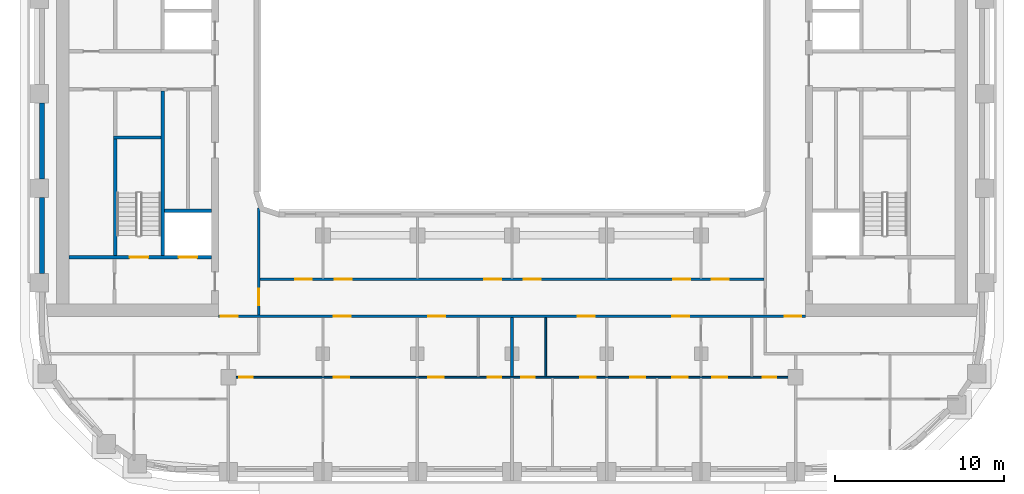
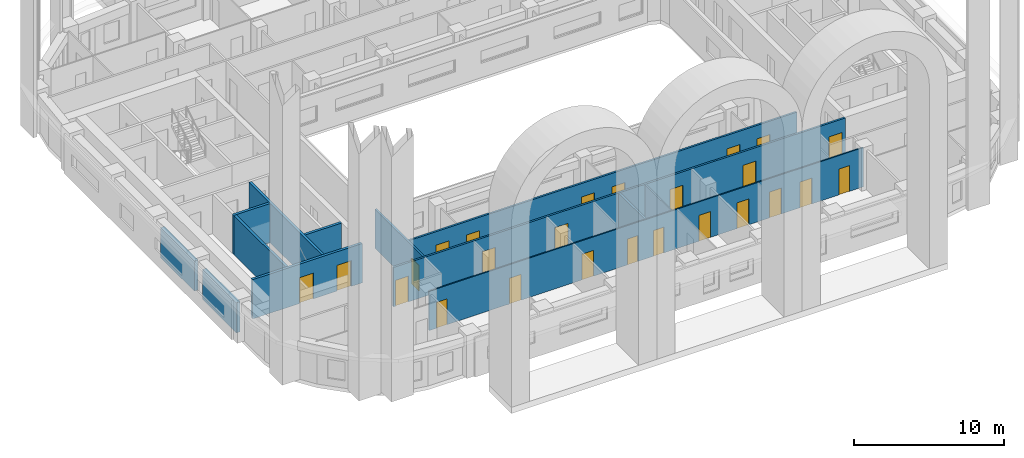
# One storey, part 3 of 18: 25 doors, 13 walls, 25 openings.
"""IFC4 building model written with IfcOpenShell, lengths in metres."""

import ifcopenshell
import ifcopenshell.guid

model = None  # the IFC model being written
_history = None  # IfcOwnerHistory: only IFC2X3 demands one
_inside = {}  # id of a spatial element -> (the spatial element, [elements in it])
_under = {}  # id of a project, library or spatial element -> (it, [spatial elements below it])
_declared = {}  # id of a project -> (the project, [libraries it declares])
_typed = {}  # id of a type object -> (the type object, [elements of that type])
_made_of = {}  # id of a material, layer set ... -> (it, [elements and type objects made of it])


def new_model(schema):
    """Start an empty IFC model of exactly this schema.

    Asked for "IFC4X3", IfcOpenShell would pick the latest addendum, in which some entities
    have other attributes; the version numbers below select the first issue.
    IFC2X3 requires an IfcOwnerHistory on every rooted entity: one is made here for all.
    """
    global model, _history
    if schema == "IFC4X3":
        model = ifcopenshell.file(schema_version=(4, 3, 0, 0))
    else:
        model = ifcopenshell.file(schema=schema)
    _inside.clear()
    _under.clear()
    _declared.clear()
    _typed.clear()
    _made_of.clear()
    _history = None
    if model.schema == "IFC2X3":
        org = make("IfcOrganization", Name="unknown")
        user = make(
            "IfcPersonAndOrganization",
            ThePerson=make("IfcPerson", FamilyName="unknown"),
            TheOrganization=org,
        )
        app = make(
            "IfcApplication",
            ApplicationDeveloper=org,
            Version="unknown",
            ApplicationFullName="unknown",
            ApplicationIdentifier="unknown",
        )
        _history = make(
            "IfcOwnerHistory",
            OwningUser=user,
            OwningApplication=app,
            ChangeAction="ADDED",
            CreationDate=0,
        )
    return model


def make(cls, **values):
    """One entity of the class cls with the attributes given. An attribute that is None is left unset."""
    return model.create_entity(
        cls, **{name: value for name, value in values.items() if value is not None}
    )


def rooted(cls, **values):
    """An entity with a GlobalId (a new one), such as an element, a storey or a relation."""
    return make(cls, GlobalId=ifcopenshell.guid.new(), OwnerHistory=_history, **values)


def si_unit(unit_type, name, prefix=None):
    """IfcSIUnit, for example si_unit("LENGTHUNIT", "METRE", prefix="MILLI")."""
    return make("IfcSIUnit", UnitType=unit_type, Prefix=prefix, Name=name)


def assignment(units):
    """IfcUnitAssignment: the units of a project."""
    return None if units is None else make("IfcUnitAssignment", Units=units)


def point(xyz):
    """IfcCartesianPoint."""
    return None if xyz is None else make("IfcCartesianPoint", Coordinates=xyz)


def direction(xyz):
    """IfcDirection."""
    return None if xyz is None else make("IfcDirection", DirectionRatios=xyz)


def frame(location, z_axis=None, x_axis=None):
    """IfcAxis2Placement3D, a coordinate frame: its origin and axes. An axis left out is left unset."""
    return make(
        "IfcAxis2Placement3D",
        Location=point(location),
        Axis=direction(z_axis),
        RefDirection=direction(x_axis),
    )


def frame_2d(location, x_axis=None):
    """IfcAxis2Placement2D, a coordinate frame in the plane: its origin and x axis."""
    return make(
        "IfcAxis2Placement2D", Location=point(location), RefDirection=direction(x_axis)
    )


def origin():
    """The frame at (0, 0, 0) with its axes left unset."""
    return frame((0.0, 0.0, 0.0))


def place(relative_to, where):
    """IfcLocalPlacement: puts the frame where relative to a parent placement (None: the world)."""
    return make(
        "IfcLocalPlacement", PlacementRelTo=relative_to, RelativePlacement=where
    )


def context(
    kind, dimensions, precision=None, world=None, true_north=None, identifier=None
):
    """IfcGeometricRepresentationContext, for example the 3D "Model" context."""
    return make(
        "IfcGeometricRepresentationContext",
        ContextIdentifier=identifier,
        ContextType=kind,
        CoordinateSpaceDimension=dimensions,
        Precision=precision,
        WorldCoordinateSystem=world,
        TrueNorth=true_north,
    )


def subcontext(parent, identifier, kind, view, scale=None):
    """IfcGeometricRepresentationSubContext, for example "Body" below "Model"."""
    return make(
        "IfcGeometricRepresentationSubContext",
        ContextIdentifier=identifier,
        ContextType=kind,
        ParentContext=parent,
        TargetScale=scale,
        TargetView=view,
    )


def project(units=None, contexts=None):
    """IfcProject with its units and contexts."""
    return rooted(
        "IfcProject",
        Name="project",
        RepresentationContexts=contexts,
        UnitsInContext=assignment(units),
    )


def spatial(cls, under=None, at=None, **own):
    """A site, building, storey or space (cls), placed at a placement, below another one or the project."""
    s = rooted(cls, ObjectPlacement=at, **own)
    if under is not None:
        _under.setdefault(under.id(), (under, []))[1].append(s)
    return s


def profile(cls, at=None, kind="AREA", **sizes):
    """A parametric profile (cls). Its sizes go by their IFC names, for example OverallWidth=200.0."""
    return make(cls, ProfileType=kind, Position=at, **sizes)


def rectangle(**sizes):
    """IfcRectangleProfileDef."""
    return profile("IfcRectangleProfileDef", **sizes)


def extrude(swept, where, along, depth):
    """IfcExtrudedAreaSolid: the profile swept, set in the frame where, extruded along a direction by depth."""
    return make(
        "IfcExtrudedAreaSolid",
        SweptArea=swept,
        Position=where,
        ExtrudedDirection=direction(along),
        Depth=depth,
    )


def shape(context_of_items, identifier, shape_type, items):
    """IfcShapeRepresentation: the items that make up one representation, for example the "Body"."""
    return make(
        "IfcShapeRepresentation",
        ContextOfItems=context_of_items,
        RepresentationIdentifier=identifier,
        RepresentationType=shape_type,
        Items=items,
    )


def material(Name=None, Category=None):
    """IfcMaterial."""
    return make("IfcMaterial", Name=Name, Category=Category)


def layer(
    of_material, thickness, ventilated=None, Name=None, Category=None, Priority=None
):
    """IfcMaterialLayer: one layer of a wall or slab, of a material (None: an air gap)."""
    return make(
        "IfcMaterialLayer",
        Material=of_material,
        LayerThickness=thickness,
        IsVentilated=ventilated,
        Name=Name,
        Category=Category,
        Priority=Priority,
    )


def layer_set(layers, Name=None):
    """IfcMaterialLayerSet."""
    return make("IfcMaterialLayerSet", MaterialLayers=layers, LayerSetName=Name)


def made_of(thing, what):
    """Note that an element or type object is made of a material, layer set ...; save() writes the relation."""
    if what is not None:
        _made_of.setdefault(what.id(), (what, []))[1].append(thing)
    return thing


def type_object(cls, material=None, **own):
    """A type object (cls), such as IfcWallType, which elements share."""
    return made_of(rooted(cls, **own), material)


def element(
    cls,
    number,
    at=None,
    inside=None,
    cuts=None,
    type_object=None,
    material=None,
    context=None,
    identifier="Body",
    shape_type=None,
    held_by="IfcProductDefinitionShape",
    body=None,
    shapes=None,
    **own,
):
    """One element of the class cls, such as IfcWall. Its Tag is "e" and its number.

    at: its placement. inside: the storey or other place that contains it. cuts: it is an
    opening in that element (IfcRelVoidsElement). A single representation is given by context,
    identifier, shape_type and body (its items); several are given by shapes. held_by: the class
    of the entity that holds the representations. save() writes the other relations.
    """
    e = rooted(cls, Tag="e%d" % number, ObjectPlacement=at, **own)
    if body is not None:
        shapes = [shape(context, identifier, shape_type, body)]
    if shapes is not None:
        e.Representation = make(held_by, Representations=shapes)
    if inside is not None:
        _inside.setdefault(inside.id(), (inside, []))[1].append(e)
    if cuts is not None:
        rooted(
            "IfcRelVoidsElement", RelatingBuildingElement=cuts, RelatedOpeningElement=e
        )
    if type_object is not None:
        _typed.setdefault(type_object.id(), (type_object, []))[1].append(e)
    return made_of(e, material)


def fill(opening, filler):
    """IfcRelFillsElement: the door or window that sits in an opening."""
    return rooted(
        "IfcRelFillsElement",
        RelatingOpeningElement=opening,
        RelatedBuildingElement=filler,
    )


def aggregate(whole, parts):
    """IfcRelAggregates: a whole, such as a stair, and the parts it consists of."""
    return rooted("IfcRelAggregates", RelatingObject=whole, RelatedObjects=parts)


def save(model, path):
    """Write the relations noted so far, then the file.

    IfcRelAggregates (storeys below a building ...), IfcRelContainedInSpatialStructure (elements
    in a storey), IfcRelDefinesByType, IfcRelAssociatesMaterial and IfcRelDeclares: one each for
    every whole, place, type object, material and project.
    """
    for whole, parts in _under.values():
        aggregate(whole, parts)
    for where, things in _inside.values():
        rooted(
            "IfcRelContainedInSpatialStructure",
            RelatedElements=things,
            RelatingStructure=where,
        )
    for kind, things in _typed.values():
        rooted("IfcRelDefinesByType", RelatedObjects=things, RelatingType=kind)
    for what, things in _made_of.values():
        rooted("IfcRelAssociatesMaterial", RelatedObjects=things, RelatingMaterial=what)
    for by, libraries in _declared.values():
        rooted("IfcRelDeclares", RelatingContext=by, RelatedDefinitions=libraries)
    model.write(path)


model = new_model("IFC4")

# Units and contexts
model_context = context("Model", 3, precision=1e-05, world=origin(), true_north=direction((0.0, 1.0)))
body_context = subcontext(model_context, "Body", "Model", "MODEL_VIEW")
ifc_project = project(units=[si_unit("LENGTHUNIT", "METRE"), si_unit("AREAUNIT", "SQUARE_METRE"), si_unit("VOLUMEUNIT", "CUBIC_METRE"), si_unit("PLANEANGLEUNIT", "RADIAN"), si_unit("MASSUNIT", "GRAM", prefix="KILO")], contexts=[model_context])

# Site, building, storey
site_placement = place(None, origin())
site = spatial("IfcSite", under=ifc_project, at=site_placement, CompositionType="ELEMENT")
building_placement = place(site_placement, origin())
building = spatial("IfcBuilding", under=site, at=building_placement, Name="Kiln Ring Residences", CompositionType="ELEMENT")
storey_placement = place(building_placement, frame((0.0, 0.0, 136.10009765625)))
storey = spatial("IfcBuildingStorey", under=building, at=storey_placement, Name="L34", CompositionType="ELEMENT", Elevation=136.10009765625)

# Walls
ifc_material_1 = material(Name="Gypsum shaft wall system")
ifc_layer_1 = layer(ifc_material_1, 0.199951171875)
ifc_layer_set_1 = layer_set([ifc_layer_1], Name="CORE-SHAFT-WALL-200")
wall_type_1 = type_object("IfcWallType", Name="CORE-SHAFT-WALL-200", PredefinedType="PARTITIONING", material=ifc_layer_set_1)
wall_1_placement = place(storey_placement, frame((-17.800048828125, -6.949951171875, 0.0), z_axis=(0.0, 0.0, 1.0), x_axis=(-1.0, 0.0, 0.0)))
element("IfcWall", 1, at=wall_1_placement, inside=storey, type_object=wall_type_1, Name="Core partition west L34 7", PredefinedType="PARTITIONING", context=body_context, shape_type="SweptSolid", body=[
    extrude(rectangle(XDim=2.800048828125, YDim=0.199951171875, at=frame_2d((1.39990234375, 0.0))), origin(), (0.0, 0.0, 1.0), 3.199951171875),
])
ifc_material_2 = material(Name="Concrete C40/50", Category="concrete")
ifc_layer_2 = layer(ifc_material_2, 0.199951171875)
ifc_layer_set_2 = layer_set([ifc_layer_2], Name="CORE-WALL-RC200")
wall_type_2 = type_object("IfcWallType", Name="CORE-WALL-RC200", PredefinedType="SHEAR", material=ifc_layer_set_2)
wall_2_placement = place(storey_placement, frame((-20.699951171875, -9.60009765625, 0.0), z_axis=(0.0, 0.0, 1.0), x_axis=(0.0, 1.0, 0.0)))
element("IfcWall", 2, at=wall_2_placement, inside=storey, type_object=wall_type_2, Name="Core wall west L34 2", PredefinedType="SHEAR", context=body_context, shape_type="SweptSolid", body=[
    extrude(rectangle(XDim=9.75, YDim=0.199951171875, at=frame_2d((4.875, 0.0))), origin(), (0.0, 0.0, 1.0), 3.199951171875),
])

# Wall, openings, doors
wall_3_placement = place(storey_placement, frame((-17.800048828125, -9.699951171875, 0.0), z_axis=(0.0, 0.0, 1.0), x_axis=(-1.0, 0.0, 0.0)))
wall_3 = element("IfcWall", 3, at=wall_3_placement, inside=storey, type_object=wall_type_2, Name="Core wall west L34 8", PredefinedType="SHEAR", context=body_context, shape_type="SweptSolid", body=[
    extrude(rectangle(XDim=8.449951171875, YDim=0.199951171875, at=frame_2d((4.22509765625, 0.0))), origin(), (0.0, 0.0, 1.0), 3.199951171875),
])
opening_1_placement = place(wall_3_placement, frame((0.85009765625, 0.0, 0.0)))
opening_1 = element("IfcOpeningElement", 4, at=opening_1_placement, cuts=wall_3, Name="Opening L34-CW01", PredefinedType="OPENING", context=body_context, shape_type="SweptSolid", body=[
    extrude(rectangle(XDim=1.10009765625, YDim=2.10009765625, at=frame_2d((0.550048828125, 1.050048828125))), frame((0.0, 0.10986328125, 0.0), z_axis=(0.0, -1.0, 0.0), x_axis=(1.0, 0.0, 0.0)), (0.0, 0.0, 1.0), 0.219970703125),
])
opening_2_placement = place(wall_3_placement, frame((3.75, 0.0, 0.0)))
opening_2 = element("IfcOpeningElement", 5, at=opening_2_placement, cuts=wall_3, Name="Opening L34-CW12", PredefinedType="OPENING", context=body_context, shape_type="SweptSolid", body=[
    extrude(rectangle(XDim=1.10009765625, YDim=2.10009765625, at=frame_2d((0.550048828125, 1.050048828125))), frame((0.0, 0.10986328125, 0.0), z_axis=(0.0, -1.0, 0.0), x_axis=(1.0, 0.0, 0.0)), (0.0, 0.0, 1.0), 0.219970703125),
])
ifc_material_3 = material(Name="Steel door leaf", Category="steel")
door_type_1 = type_object("IfcDoorType", Name="CORE-DOOR-LD", OperationType="DOUBLE_DOOR_SLIDING", PredefinedType="DOOR", material=ifc_material_3)
door_1_placement = place(opening_1_placement, origin())
door_1 = element("IfcDoor", 6, at=door_1_placement, inside=storey, type_object=door_type_1, Name="LD W-SV L34-CW01", OperationType="DOUBLE_DOOR_SLIDING", OverallHeight=2.10009765625, OverallWidth=1.10009765625, PredefinedType="DOOR", context=body_context, shape_type="SweptSolid", body=[
    extrude(rectangle(XDim=1.10009765625, YDim=2.10009765625, at=frame_2d((0.550048828125, 1.050048828125))), frame((0.0, 0.02490234375, 0.0), z_axis=(0.0, -1.0, 0.0), x_axis=(1.0, 0.0, 0.0)), (0.0, 0.0, 1.0), 0.050048828125),
])
fill(opening_1, door_1)
ifc_material_4 = material(Name="Steel door leaf", Category="steel")
door_type_2 = type_object("IfcDoorType", Name="CORE-DOOR-STAIR", OperationType="SINGLE_SWING_LEFT", PredefinedType="DOOR", material=ifc_material_4)
door_2_placement = place(opening_2_placement, origin())
door_2 = element("IfcDoor", 7, at=door_2_placement, inside=storey, type_object=door_type_2, Name="Stair W-STS L34-CW12", OperationType="SINGLE_SWING_LEFT", OverallHeight=2.10009765625, OverallWidth=1.10009765625, PredefinedType="DOOR", context=body_context, shape_type="SweptSolid", body=[
    extrude(rectangle(XDim=1.10009765625, YDim=2.10009765625, at=frame_2d((0.550048828125, 1.050048828125))), frame((0.0, 0.02490234375, 0.0), z_axis=(0.0, -1.0, 0.0), x_axis=(1.0, 0.0, 0.0)), (0.0, 0.0, 1.0), 0.050048828125),
])
fill(opening_2, door_2)

# Walls
wall_4_placement = place(storey_placement, frame((-23.5, -9.60009765625, 0.0), z_axis=(0.0, 0.0, 1.0), x_axis=(0.0, 1.0, 0.0)))
element("IfcWall", 8, at=wall_4_placement, inside=storey, type_object=wall_type_2, Name="Core wall west L34 11", PredefinedType="SHEAR", context=body_context, shape_type="SweptSolid", body=[
    extrude(rectangle(XDim=6.900146484375, YDim=0.199951171875, at=frame_2d((3.4501953125, 0.0))), origin(), (0.0, 0.0, 1.0), 3.199951171875),
])
wall_5_placement = place(storey_placement, frame((-20.800048828125, -2.60009765625, 0.0), z_axis=(0.0, 0.0, 1.0), x_axis=(-1.0, 0.0, 0.0)))
element("IfcWall", 9, at=wall_5_placement, inside=storey, type_object=wall_type_2, Name="Core wall west L34 12", PredefinedType="SHEAR", context=body_context, shape_type="SweptSolid", body=[
    extrude(rectangle(XDim=2.800048828125, YDim=0.199951171875, at=frame_2d((1.39990234375, 0.0))), origin(), (0.0, 0.0, 1.0), 3.199951171875),
])
ifc_material_5 = material(Name="Brick masonry, dark clay brick", Category="masonry")
ifc_layer_3 = layer(ifc_material_5, 0.300048828125)
ifc_layer_set_3 = layer_set([ifc_layer_3], Name="EW-300 BRICK WALL")
wall_type_3 = type_object("IfcWallType", Name="EW-300 BRICK WALL", PredefinedType="SOLIDWALL", material=ifc_layer_set_3)
for number, where, z_axis, x_axis, name in (
    (10, (-27.85009765625, -0.550048828125, 0.0), (0.0, 0.0, 1.0), (0.0, -1.0, 0.0), "Facade wall L34 44"),
    (11, (-27.85009765625, -6.14990234375, 0.0), (0.0, 0.0, 1.0), (0.0, -1.0, 0.0), "Facade wall L34 45"),
):
    element("IfcWall", number, at=place(storey_placement, frame(where, z_axis=z_axis, x_axis=x_axis)), inside=storey, type_object=wall_type_3, Name=name, PredefinedType="SOLIDWALL", context=body_context, shape_type="SweptSolid", body=[
        extrude(rectangle(XDim=4.5, YDim=0.300048828125, at=frame_2d((2.25, 0.0))), origin(), (0.0, 0.0, 1.0), 2.449951171875),
    ])

# Wall, openings, doors
ifc_material_6 = material(Name="Gypsum board on steel studs", Category="steel")
ifc_layer_4 = layer(ifc_material_6, 0.10009765625)
ifc_layer_set_4 = layer_set([ifc_layer_4], Name="PARTITION-100")
wall_type_4 = type_object("IfcWallType", Name="PARTITION-100", PredefinedType="PARTITIONING", material=ifc_layer_set_4)
wall_6_placement = place(storey_placement, frame((-16.72509765625, -16.800048828125, 0.0), z_axis=(0.0, 0.0, 1.0), x_axis=(1.0, 0.0, 0.0)))
wall_6 = element("IfcWall", 12, at=wall_6_placement, inside=storey, type_object=wall_type_4, Name="Partition 002", PredefinedType="PARTITIONING", context=body_context, shape_type="SweptSolid", body=[
    extrude(rectangle(XDim=33.4501953125, YDim=0.10009765625, at=frame_2d((16.72509765625, 0.0))), origin(), (0.0, 0.0, 1.0), 3.199951171875),
])
opening_3_placement = place(wall_6_placement, frame((0.574951171875, 0.0, 0.0)))
opening_3 = element("IfcOpeningElement", 13, at=opening_3_placement, cuts=wall_6, Name="Opening L34-D050", PredefinedType="OPENING", context=body_context, shape_type="SweptSolid", body=[
    extrude(rectangle(XDim=0.800048828125, YDim=2.10009765625, at=frame_2d((0.39990234375, 1.050048828125))), frame((0.0, 0.06005859375, 0.0), z_axis=(0.0, -1.0, 0.0), x_axis=(1.0, 0.0, 0.0)), (0.0, 0.0, 1.0), 0.1201171875),
])
opening_4_placement = place(wall_6_placement, frame((6.175048828125, 0.0, 0.0)))
opening_4 = element("IfcOpeningElement", 14, at=opening_4_placement, cuts=wall_6, Name="Opening L34-D051", PredefinedType="OPENING", context=body_context, shape_type="SweptSolid", body=[
    extrude(rectangle(XDim=0.89990234375, YDim=2.10009765625, at=frame_2d((0.449951171875, 1.050048828125))), frame((0.0, 0.06005859375, 0.0), z_axis=(0.0, -1.0, 0.0), x_axis=(1.0, 0.0, 0.0)), (0.0, 0.0, 1.0), 0.1201171875),
])
opening_5_placement = place(wall_6_placement, frame((15.27490234375, 0.0, 0.0)))
opening_5 = element("IfcOpeningElement", 15, at=opening_5_placement, cuts=wall_6, Name="Opening L34-D054", PredefinedType="OPENING", context=body_context, shape_type="SweptSolid", body=[
    extrude(rectangle(XDim=0.800048828125, YDim=2.10009765625, at=frame_2d((0.39990234375, 1.050048828125))), frame((0.0, 0.06005859375, 0.0), z_axis=(0.0, -1.0, 0.0), x_axis=(1.0, 0.0, 0.0)), (0.0, 0.0, 1.0), 0.1201171875),
])
opening_6_placement = place(wall_6_placement, frame((11.77490234375, 0.0, 0.0)))
opening_6 = element("IfcOpeningElement", 16, at=opening_6_placement, cuts=wall_6, Name="Opening L34-D055", PredefinedType="OPENING", context=body_context, shape_type="SweptSolid", body=[
    extrude(rectangle(XDim=0.89990234375, YDim=2.10009765625, at=frame_2d((0.449951171875, 1.050048828125))), frame((0.0, 0.06005859375, 0.0), z_axis=(0.0, -1.0, 0.0), x_axis=(1.0, 0.0, 0.0)), (0.0, 0.0, 1.0), 0.1201171875),
])
opening_7_placement = place(wall_6_placement, frame((17.27490234375, 0.0, 0.0)))
opening_7 = element("IfcOpeningElement", 17, at=opening_7_placement, cuts=wall_6, Name="Opening L34-D057", PredefinedType="OPENING", context=body_context, shape_type="SweptSolid", body=[
    extrude(rectangle(XDim=0.800048828125, YDim=2.10009765625, at=frame_2d((0.39990234375, 1.050048828125))), frame((0.0, 0.06005859375, 0.0), z_axis=(0.0, -1.0, 0.0), x_axis=(1.0, 0.0, 0.0)), (0.0, 0.0, 1.0), 0.1201171875),
])
opening_8_placement = place(wall_6_placement, frame((20.77490234375, 0.0, 0.0)))
opening_8 = element("IfcOpeningElement", 18, at=opening_8_placement, cuts=wall_6, Name="Opening L34-D058", PredefinedType="OPENING", context=body_context, shape_type="SweptSolid", body=[
    extrude(rectangle(XDim=0.89990234375, YDim=2.10009765625, at=frame_2d((0.449951171875, 1.050048828125))), frame((0.0, 0.06005859375, 0.0), z_axis=(0.0, -1.0, 0.0), x_axis=(1.0, 0.0, 0.0)), (0.0, 0.0, 1.0), 0.1201171875),
])
opening_9_placement = place(wall_6_placement, frame((31.574951171875, 0.0, 0.0)))
opening_9 = element("IfcOpeningElement", 19, at=opening_9_placement, cuts=wall_6, Name="Opening L34-D062", PredefinedType="OPENING", context=body_context, shape_type="SweptSolid", body=[
    extrude(rectangle(XDim=0.800048828125, YDim=2.10009765625, at=frame_2d((0.39990234375, 1.050048828125))), frame((0.0, 0.06005859375, 0.0), z_axis=(0.0, -1.0, 0.0), x_axis=(1.0, 0.0, 0.0)), (0.0, 0.0, 1.0), 0.1201171875),
])
opening_10_placement = place(wall_6_placement, frame((28.574951171875, 0.0, 0.0)))
opening_10 = element("IfcOpeningElement", 20, at=opening_10_placement, cuts=wall_6, Name="Opening L34-D063", PredefinedType="OPENING", context=body_context, shape_type="SweptSolid", body=[
    extrude(rectangle(XDim=0.89990234375, YDim=2.10009765625, at=frame_2d((0.449951171875, 1.050048828125))), frame((0.0, 0.06005859375, 0.0), z_axis=(0.0, -1.0, 0.0), x_axis=(1.0, 0.0, 0.0)), (0.0, 0.0, 1.0), 0.1201171875),
])
opening_11_placement = place(wall_6_placement, frame((23.72509765625, 0.0, 0.0)))
opening_11 = element("IfcOpeningElement", 21, at=opening_11_placement, cuts=wall_6, Name="Opening L34-D064", PredefinedType="OPENING", context=body_context, shape_type="SweptSolid", body=[
    extrude(rectangle(XDim=0.89990234375, YDim=2.10009765625, at=frame_2d((0.449951171875, 1.050048828125))), frame((0.0, 0.06005859375, 0.0), z_axis=(0.0, -1.0, 0.0), x_axis=(1.0, 0.0, 0.0)), (0.0, 0.0, 1.0), 0.1201171875),
])
opening_12_placement = place(wall_6_placement, frame((26.22509765625, 0.0, 0.0)))
opening_12 = element("IfcOpeningElement", 22, at=opening_12_placement, cuts=wall_6, Name="Opening L34-D065", PredefinedType="OPENING", context=body_context, shape_type="SweptSolid", body=[
    extrude(rectangle(XDim=0.89990234375, YDim=2.10009765625, at=frame_2d((0.449951171875, 1.050048828125))), frame((0.0, 0.06005859375, 0.0), z_axis=(0.0, -1.0, 0.0), x_axis=(1.0, 0.0, 0.0)), (0.0, 0.0, 1.0), 0.1201171875),
])
ifc_material_7 = material(Name="Timber door leaf", Category="wood")
door_type_3 = type_object("IfcDoorType", Name="FLAT-DOOR-800-PL", OperationType="SINGLE_SWING_LEFT", PredefinedType="DOOR", material=ifc_material_7)
door_3_placement = place(opening_3_placement, origin())
door_3 = element("IfcDoor", 23, at=door_3_placement, inside=storey, type_object=door_type_3, Name="Door L34-D050", OperationType="SINGLE_SWING_RIGHT", OverallHeight=2.10009765625, OverallWidth=0.800048828125, PredefinedType="DOOR", context=body_context, shape_type="SweptSolid", body=[
    extrude(rectangle(XDim=0.800048828125, YDim=2.10009765625, at=frame_2d((0.39990234375, 1.050048828125))), frame((0.0, 0.02490234375, 0.0), z_axis=(0.0, -1.0, 0.0), x_axis=(1.0, 0.0, 0.0)), (0.0, 0.0, 1.0), 0.050048828125),
])
fill(opening_3, door_3)
door_4_placement = place(opening_5_placement, origin())
door_4 = element("IfcDoor", 24, at=door_4_placement, inside=storey, type_object=door_type_3, Name="Door L34-D054", OperationType="SINGLE_SWING_RIGHT", OverallHeight=2.10009765625, OverallWidth=0.800048828125, PredefinedType="DOOR", context=body_context, shape_type="SweptSolid", body=[
    extrude(rectangle(XDim=0.800048828125, YDim=2.10009765625, at=frame_2d((0.39990234375, 1.050048828125))), frame((0.0, 0.02490234375, 0.0), z_axis=(0.0, -1.0, 0.0), x_axis=(1.0, 0.0, 0.0)), (0.0, 0.0, 1.0), 0.050048828125),
])
fill(opening_5, door_4)
door_5_placement = place(opening_7_placement, origin())
door_5 = element("IfcDoor", 25, at=door_5_placement, inside=storey, type_object=door_type_3, Name="Door L34-D057", OperationType="SINGLE_SWING_LEFT", OverallHeight=2.10009765625, OverallWidth=0.800048828125, PredefinedType="DOOR", context=body_context, shape_type="SweptSolid", body=[
    extrude(rectangle(XDim=0.800048828125, YDim=2.10009765625, at=frame_2d((0.39990234375, 1.050048828125))), frame((0.0, 0.02490234375, 0.0), z_axis=(0.0, -1.0, 0.0), x_axis=(1.0, 0.0, 0.0)), (0.0, 0.0, 1.0), 0.050048828125),
])
fill(opening_7, door_5)
door_6_placement = place(opening_9_placement, origin())
door_6 = element("IfcDoor", 26, at=door_6_placement, inside=storey, type_object=door_type_3, Name="Door L34-D062", OperationType="SINGLE_SWING_RIGHT", OverallHeight=2.10009765625, OverallWidth=0.800048828125, PredefinedType="DOOR", context=body_context, shape_type="SweptSolid", body=[
    extrude(rectangle(XDim=0.800048828125, YDim=2.10009765625, at=frame_2d((0.39990234375, 1.050048828125))), frame((0.0, 0.02490234375, 0.0), z_axis=(0.0, -1.0, 0.0), x_axis=(1.0, 0.0, 0.0)), (0.0, 0.0, 1.0), 0.050048828125),
])
fill(opening_9, door_6)
ifc_material_8 = material(Name="Timber door leaf", Category="wood")
door_type_4 = type_object("IfcDoorType", Name="FLAT-DOOR-900-PL", OperationType="SINGLE_SWING_LEFT", PredefinedType="DOOR", material=ifc_material_8)
door_7_placement = place(opening_4_placement, origin())
door_7 = element("IfcDoor", 27, at=door_7_placement, inside=storey, type_object=door_type_4, Name="Door L34-D051", OperationType="SINGLE_SWING_LEFT", OverallHeight=2.10009765625, OverallWidth=0.89990234375, PredefinedType="DOOR", context=body_context, shape_type="SweptSolid", body=[
    extrude(rectangle(XDim=0.89990234375, YDim=2.10009765625, at=frame_2d((0.449951171875, 1.050048828125))), frame((0.0, 0.02490234375, 0.0), z_axis=(0.0, -1.0, 0.0), x_axis=(1.0, 0.0, 0.0)), (0.0, 0.0, 1.0), 0.050048828125),
])
fill(opening_4, door_7)
door_8_placement = place(opening_6_placement, origin())
door_8 = element("IfcDoor", 28, at=door_8_placement, inside=storey, type_object=door_type_4, Name="Door L34-D055", OperationType="SINGLE_SWING_LEFT", OverallHeight=2.10009765625, OverallWidth=0.89990234375, PredefinedType="DOOR", context=body_context, shape_type="SweptSolid", body=[
    extrude(rectangle(XDim=0.89990234375, YDim=2.10009765625, at=frame_2d((0.449951171875, 1.050048828125))), frame((0.0, 0.02490234375, 0.0), z_axis=(0.0, -1.0, 0.0), x_axis=(1.0, 0.0, 0.0)), (0.0, 0.0, 1.0), 0.050048828125),
])
fill(opening_6, door_8)
door_9_placement = place(opening_8_placement, origin())
door_9 = element("IfcDoor", 29, at=door_9_placement, inside=storey, type_object=door_type_4, Name="Door L34-D058", OperationType="SINGLE_SWING_RIGHT", OverallHeight=2.10009765625, OverallWidth=0.89990234375, PredefinedType="DOOR", context=body_context, shape_type="SweptSolid", body=[
    extrude(rectangle(XDim=0.89990234375, YDim=2.10009765625, at=frame_2d((0.449951171875, 1.050048828125))), frame((0.0, 0.02490234375, 0.0), z_axis=(0.0, -1.0, 0.0), x_axis=(1.0, 0.0, 0.0)), (0.0, 0.0, 1.0), 0.050048828125),
])
fill(opening_8, door_9)
door_10_placement = place(opening_10_placement, origin())
door_10 = element("IfcDoor", 30, at=door_10_placement, inside=storey, type_object=door_type_4, Name="Door L34-D063", OperationType="SINGLE_SWING_LEFT", OverallHeight=2.10009765625, OverallWidth=0.89990234375, PredefinedType="DOOR", context=body_context, shape_type="SweptSolid", body=[
    extrude(rectangle(XDim=0.89990234375, YDim=2.10009765625, at=frame_2d((0.449951171875, 1.050048828125))), frame((0.0, 0.02490234375, 0.0), z_axis=(0.0, -1.0, 0.0), x_axis=(1.0, 0.0, 0.0)), (0.0, 0.0, 1.0), 0.050048828125),
])
fill(opening_10, door_10)
door_11_placement = place(opening_11_placement, origin())
door_11 = element("IfcDoor", 31, at=door_11_placement, inside=storey, type_object=door_type_4, Name="Door L34-D064", OperationType="SINGLE_SWING_RIGHT", OverallHeight=2.10009765625, OverallWidth=0.89990234375, PredefinedType="DOOR", context=body_context, shape_type="SweptSolid", body=[
    extrude(rectangle(XDim=0.89990234375, YDim=2.10009765625, at=frame_2d((0.449951171875, 1.050048828125))), frame((0.0, 0.02490234375, 0.0), z_axis=(0.0, -1.0, 0.0), x_axis=(1.0, 0.0, 0.0)), (0.0, 0.0, 1.0), 0.050048828125),
])
fill(opening_11, door_11)
door_12_placement = place(opening_12_placement, origin())
door_12 = element("IfcDoor", 32, at=door_12_placement, inside=storey, type_object=door_type_4, Name="Door L34-D065", OperationType="SINGLE_SWING_LEFT", OverallHeight=2.10009765625, OverallWidth=0.89990234375, PredefinedType="DOOR", context=body_context, shape_type="SweptSolid", body=[
    extrude(rectangle(XDim=0.89990234375, YDim=2.10009765625, at=frame_2d((0.449951171875, 1.050048828125))), frame((0.0, 0.02490234375, 0.0), z_axis=(0.0, -1.0, 0.0), x_axis=(1.0, 0.0, 0.0)), (0.0, 0.0, 1.0), 0.050048828125),
])
fill(opening_12, door_12)

# Wall
wall_7_placement = place(storey_placement, frame((2.0, -16.75, 0.0), z_axis=(0.0, 0.0, 1.0), x_axis=(0.0, 1.0, 0.0)))
element("IfcWall", 33, at=wall_7_placement, inside=storey, type_object=wall_type_4, Name="Partition 045", PredefinedType="PARTITIONING", context=body_context, shape_type="SweptSolid", body=[
    extrude(rectangle(XDim=3.47509765625, YDim=0.10009765625, at=frame_2d((1.737548828125, 0.0))), origin(), (0.0, 0.0, 1.0), 3.199951171875),
])

# Wall, openings, doors
ifc_material_9 = material(Name="Brick masonry partition", Category="masonry")
ifc_layer_5 = layer(ifc_material_9, 0.14990234375)
ifc_layer_set_5 = layer_set([ifc_layer_5], Name="PARTITION-150-ei60")
wall_type_5 = type_object("IfcWallType", Name="PARTITION-150-ei60", PredefinedType="PARTITIONING", material=ifc_layer_set_5)
wall_8_placement = place(storey_placement, frame((-17.39990234375, -13.199951171875, 0.0), z_axis=(0.0, 0.0, 1.0), x_axis=(1.0, 0.0, 0.0)))
wall_8 = element("IfcWall", 34, at=wall_8_placement, inside=storey, type_object=wall_type_5, Name="Partition 005", PredefinedType="PARTITIONING", context=body_context, shape_type="SweptSolid", body=[
    extrude(rectangle(XDim=34.7998046875, YDim=0.14990234375, at=frame_2d((17.39990234375, 0.0))), origin(), (0.0, 0.0, 1.0), 3.199951171875),
])
opening_13_placement = place(wall_8_placement, frame((0.14990234375, 0.0, 0.0)))
opening_13 = element("IfcOpeningElement", 35, at=opening_13_placement, cuts=wall_8, Name="Opening L34-D007", PredefinedType="OPENING", context=body_context, shape_type="SweptSolid", body=[
    extrude(rectangle(XDim=1.0, YDim=2.10009765625, at=frame_2d((0.5, 1.050048828125))), frame((0.0, 0.0849609375, 0.0), z_axis=(0.0, -1.0, 0.0), x_axis=(1.0, 0.0, 0.0)), (0.0, 0.0, 1.0), 0.169921875),
])
opening_14_placement = place(wall_8_placement, frame((33.550048828125, 0.0, 0.0)))
opening_14 = element("IfcOpeningElement", 36, at=opening_14_placement, cuts=wall_8, Name="Opening L34-D008", PredefinedType="OPENING", context=body_context, shape_type="SweptSolid", body=[
    extrude(rectangle(XDim=1.0, YDim=2.10009765625, at=frame_2d((0.5, 1.050048828125))), frame((0.0, 0.0849609375, 0.0), z_axis=(0.0, -1.0, 0.0), x_axis=(1.0, 0.0, 0.0)), (0.0, 0.0, 1.0), 0.169921875),
])
opening_15_placement = place(wall_8_placement, frame((6.85009765625, 0.0, 0.0)))
opening_15 = element("IfcOpeningElement", 37, at=opening_15_placement, cuts=wall_8, Name="Opening L34-D049", PredefinedType="OPENING", context=body_context, shape_type="SweptSolid", body=[
    extrude(rectangle(XDim=1.0, YDim=2.10009765625, at=frame_2d((0.5, 1.050048828125))), frame((0.0, 0.0849609375, 0.0), z_axis=(0.0, -1.0, 0.0), x_axis=(1.0, 0.0, 0.0)), (0.0, 0.0, 1.0), 0.169921875),
])
opening_16_placement = place(wall_8_placement, frame((12.449951171875, 0.0, 0.0)))
opening_16 = element("IfcOpeningElement", 38, at=opening_16_placement, cuts=wall_8, Name="Opening L34-D053", PredefinedType="OPENING", context=body_context, shape_type="SweptSolid", body=[
    extrude(rectangle(XDim=1.0, YDim=2.10009765625, at=frame_2d((0.5, 1.050048828125))), frame((0.0, 0.0849609375, 0.0), z_axis=(0.0, -1.0, 0.0), x_axis=(1.0, 0.0, 0.0)), (0.0, 0.0, 1.0), 0.169921875),
])
opening_17_placement = place(wall_8_placement, frame((21.300048828125, 0.0, 0.0)))
opening_17 = element("IfcOpeningElement", 39, at=opening_17_placement, cuts=wall_8, Name="Opening L34-D056", PredefinedType="OPENING", context=body_context, shape_type="SweptSolid", body=[
    extrude(rectangle(XDim=1.0, YDim=2.10009765625, at=frame_2d((0.5, 1.050048828125))), frame((0.0, 0.0849609375, 0.0), z_axis=(0.0, -1.0, 0.0), x_axis=(1.0, 0.0, 0.0)), (0.0, 0.0, 1.0), 0.169921875),
])
opening_18_placement = place(wall_8_placement, frame((26.89990234375, 0.0, 0.0)))
opening_18 = element("IfcOpeningElement", 40, at=opening_18_placement, cuts=wall_8, Name="Opening L34-D060", PredefinedType="OPENING", context=body_context, shape_type="SweptSolid", body=[
    extrude(rectangle(XDim=1.0, YDim=2.10009765625, at=frame_2d((0.5, 1.050048828125))), frame((0.0, 0.0849609375, 0.0), z_axis=(0.0, -1.0, 0.0), x_axis=(1.0, 0.0, 0.0)), (0.0, 0.0, 1.0), 0.169921875),
])
ifc_material_10 = material(Name="Steel faced fire door leaf", Category="steel")
door_type_5 = type_object("IfcDoorType", Name="FLAT-DOOR-1000-FR", OperationType="SINGLE_SWING_LEFT", PredefinedType="DOOR", material=ifc_material_10)
door_13_placement = place(opening_13_placement, origin())
door_13 = element("IfcDoor", 41, at=door_13_placement, inside=storey, type_object=door_type_5, Name="Door L34-D007", OperationType="SINGLE_SWING_RIGHT", OverallHeight=2.10009765625, OverallWidth=1.0, PredefinedType="DOOR", context=body_context, shape_type="SweptSolid", body=[
    extrude(rectangle(XDim=1.0, YDim=2.10009765625, at=frame_2d((0.5, 1.050048828125))), frame((0.0, 0.02490234375, 0.0), z_axis=(0.0, -1.0, 0.0), x_axis=(1.0, 0.0, 0.0)), (0.0, 0.0, 1.0), 0.050048828125),
])
fill(opening_13, door_13)
door_14_placement = place(opening_14_placement, origin())
door_14 = element("IfcDoor", 42, at=door_14_placement, inside=storey, type_object=door_type_5, Name="Door L34-D008", OperationType="SINGLE_SWING_LEFT", OverallHeight=2.10009765625, OverallWidth=1.0, PredefinedType="DOOR", context=body_context, shape_type="SweptSolid", body=[
    extrude(rectangle(XDim=1.0, YDim=2.10009765625, at=frame_2d((0.5, 1.050048828125))), frame((0.0, 0.02490234375, 0.0), z_axis=(0.0, -1.0, 0.0), x_axis=(1.0, 0.0, 0.0)), (0.0, 0.0, 1.0), 0.050048828125),
])
fill(opening_14, door_14)
door_15_placement = place(opening_15_placement, origin())
door_15 = element("IfcDoor", 43, at=door_15_placement, inside=storey, type_object=door_type_5, Name="Door L34-D049", OperationType="SINGLE_SWING_LEFT", OverallHeight=2.10009765625, OverallWidth=1.0, PredefinedType="DOOR", context=body_context, shape_type="SweptSolid", body=[
    extrude(rectangle(XDim=1.0, YDim=2.10009765625, at=frame_2d((0.5, 1.050048828125))), frame((0.0, 0.02490234375, 0.0), z_axis=(0.0, -1.0, 0.0), x_axis=(1.0, 0.0, 0.0)), (0.0, 0.0, 1.0), 0.050048828125),
])
fill(opening_15, door_15)
door_16_placement = place(opening_16_placement, origin())
door_16 = element("IfcDoor", 44, at=door_16_placement, inside=storey, type_object=door_type_5, Name="Door L34-D053", OperationType="SINGLE_SWING_LEFT", OverallHeight=2.10009765625, OverallWidth=1.0, PredefinedType="DOOR", context=body_context, shape_type="SweptSolid", body=[
    extrude(rectangle(XDim=1.0, YDim=2.10009765625, at=frame_2d((0.5, 1.050048828125))), frame((0.0, 0.02490234375, 0.0), z_axis=(0.0, -1.0, 0.0), x_axis=(1.0, 0.0, 0.0)), (0.0, 0.0, 1.0), 0.050048828125),
])
fill(opening_16, door_16)
door_17_placement = place(opening_17_placement, origin())
door_17 = element("IfcDoor", 45, at=door_17_placement, inside=storey, type_object=door_type_5, Name="Door L34-D056", OperationType="SINGLE_SWING_RIGHT", OverallHeight=2.10009765625, OverallWidth=1.0, PredefinedType="DOOR", context=body_context, shape_type="SweptSolid", body=[
    extrude(rectangle(XDim=1.0, YDim=2.10009765625, at=frame_2d((0.5, 1.050048828125))), frame((0.0, 0.02490234375, 0.0), z_axis=(0.0, -1.0, 0.0), x_axis=(1.0, 0.0, 0.0)), (0.0, 0.0, 1.0), 0.050048828125),
])
fill(opening_17, door_17)
door_18_placement = place(opening_18_placement, origin())
door_18 = element("IfcDoor", 46, at=door_18_placement, inside=storey, type_object=door_type_5, Name="Door L34-D060", OperationType="SINGLE_SWING_RIGHT", OverallHeight=2.10009765625, OverallWidth=1.0, PredefinedType="DOOR", context=body_context, shape_type="SweptSolid", body=[
    extrude(rectangle(XDim=1.0, YDim=2.10009765625, at=frame_2d((0.5, 1.050048828125))), frame((0.0, 0.02490234375, 0.0), z_axis=(0.0, -1.0, 0.0), x_axis=(1.0, 0.0, 0.0)), (0.0, 0.0, 1.0), 0.050048828125),
])
fill(opening_18, door_18)

wall_9_placement = place(storey_placement, frame((-14.925048828125, -11.0, 0.0), z_axis=(0.0, 0.0, 1.0), x_axis=(1.0, 0.0, 0.0)))
wall_9 = element("IfcWall", 47, at=wall_9_placement, inside=storey, type_object=wall_type_5, Name="Partition 006", PredefinedType="PARTITIONING", context=body_context, shape_type="SweptSolid", body=[
    extrude(rectangle(XDim=29.85009765625, YDim=0.14990234375, at=frame_2d((14.925048828125, 0.0))), origin(), (0.0, 0.0, 1.0), 3.199951171875),
])
opening_19_placement = place(wall_9_placement, frame((2.074951171875, 0.0, 0.0)))
opening_19 = element("IfcOpeningElement", 48, at=opening_19_placement, cuts=wall_9, Name="Opening L34-D043", PredefinedType="OPENING", context=body_context, shape_type="SweptSolid", body=[
    extrude(rectangle(XDim=1.0, YDim=2.10009765625, at=frame_2d((0.5, 1.050048828125))), frame((0.0, 0.0849609375, 0.0), z_axis=(0.0, -1.0, 0.0), x_axis=(1.0, 0.0, 0.0)), (0.0, 0.0, 1.0), 0.169921875),
])
opening_20_placement = place(wall_9_placement, frame((4.425048828125, 0.0, 0.0)))
opening_20 = element("IfcOpeningElement", 49, at=opening_20_placement, cuts=wall_9, Name="Opening L34-D044", PredefinedType="OPENING", context=body_context, shape_type="SweptSolid", body=[
    extrude(rectangle(XDim=1.0, YDim=2.10009765625, at=frame_2d((0.5, 1.050048828125))), frame((0.0, 0.0849609375, 0.0), z_axis=(0.0, -1.0, 0.0), x_axis=(1.0, 0.0, 0.0)), (0.0, 0.0, 1.0), 0.169921875),
])
opening_21_placement = place(wall_9_placement, frame((13.27490234375, 0.0, 0.0)))
opening_21 = element("IfcOpeningElement", 50, at=opening_21_placement, cuts=wall_9, Name="Opening L34-D045", PredefinedType="OPENING", context=body_context, shape_type="SweptSolid", body=[
    extrude(rectangle(XDim=1.0, YDim=2.10009765625, at=frame_2d((0.5, 1.050048828125))), frame((0.0, 0.0849609375, 0.0), z_axis=(0.0, -1.0, 0.0), x_axis=(1.0, 0.0, 0.0)), (0.0, 0.0, 1.0), 0.169921875),
])
opening_22_placement = place(wall_9_placement, frame((15.625, 0.0, 0.0)))
opening_22 = element("IfcOpeningElement", 51, at=opening_22_placement, cuts=wall_9, Name="Opening L34-D046", PredefinedType="OPENING", context=body_context, shape_type="SweptSolid", body=[
    extrude(rectangle(XDim=1.0, YDim=2.10009765625, at=frame_2d((0.5, 1.050048828125))), frame((0.0, 0.0849609375, 0.0), z_axis=(0.0, -1.0, 0.0), x_axis=(1.0, 0.0, 0.0)), (0.0, 0.0, 1.0), 0.169921875),
])
opening_23_placement = place(wall_9_placement, frame((24.47509765625, 0.0, 0.0)))
opening_23 = element("IfcOpeningElement", 52, at=opening_23_placement, cuts=wall_9, Name="Opening L34-D047", PredefinedType="OPENING", context=body_context, shape_type="SweptSolid", body=[
    extrude(rectangle(XDim=1.0, YDim=2.10009765625, at=frame_2d((0.5, 1.050048828125))), frame((0.0, 0.0849609375, 0.0), z_axis=(0.0, -1.0, 0.0), x_axis=(1.0, 0.0, 0.0)), (0.0, 0.0, 1.0), 0.169921875),
])
opening_24_placement = place(wall_9_placement, frame((26.77392578125, 0.0, 0.0)))
opening_24 = element("IfcOpeningElement", 53, at=opening_24_placement, cuts=wall_9, Name="Opening L34-D048", PredefinedType="OPENING", context=body_context, shape_type="SweptSolid", body=[
    extrude(rectangle(XDim=1.0, YDim=2.10009765625, at=frame_2d((0.5, 1.050048828125))), frame((0.0, 0.0849609375, 0.0), z_axis=(0.0, -1.0, 0.0), x_axis=(1.0, 0.0, 0.0)), (0.0, 0.0, 1.0), 0.169921875),
])
door_19_placement = place(opening_19_placement, origin())
door_19 = element("IfcDoor", 54, at=door_19_placement, inside=storey, type_object=door_type_5, Name="Door L34-D043", OperationType="SINGLE_SWING_LEFT", OverallHeight=2.10009765625, OverallWidth=1.0, PredefinedType="DOOR", context=body_context, shape_type="SweptSolid", body=[
    extrude(rectangle(XDim=1.0, YDim=2.10009765625, at=frame_2d((0.5, 1.050048828125))), frame((0.0, 0.02490234375, 0.0), z_axis=(0.0, -1.0, 0.0), x_axis=(1.0, 0.0, 0.0)), (0.0, 0.0, 1.0), 0.050048828125),
])
fill(opening_19, door_19)
door_20_placement = place(opening_20_placement, origin())
door_20 = element("IfcDoor", 55, at=door_20_placement, inside=storey, type_object=door_type_5, Name="Door L34-D044", OperationType="SINGLE_SWING_RIGHT", OverallHeight=2.10009765625, OverallWidth=1.0, PredefinedType="DOOR", context=body_context, shape_type="SweptSolid", body=[
    extrude(rectangle(XDim=1.0, YDim=2.10009765625, at=frame_2d((0.5, 1.050048828125))), frame((0.0, 0.02490234375, 0.0), z_axis=(0.0, -1.0, 0.0), x_axis=(1.0, 0.0, 0.0)), (0.0, 0.0, 1.0), 0.050048828125),
])
fill(opening_20, door_20)
door_21_placement = place(opening_21_placement, origin())
door_21 = element("IfcDoor", 56, at=door_21_placement, inside=storey, type_object=door_type_5, Name="Door L34-D045", OperationType="SINGLE_SWING_LEFT", OverallHeight=2.10009765625, OverallWidth=1.0, PredefinedType="DOOR", context=body_context, shape_type="SweptSolid", body=[
    extrude(rectangle(XDim=1.0, YDim=2.10009765625, at=frame_2d((0.5, 1.050048828125))), frame((0.0, 0.02490234375, 0.0), z_axis=(0.0, -1.0, 0.0), x_axis=(1.0, 0.0, 0.0)), (0.0, 0.0, 1.0), 0.050048828125),
])
fill(opening_21, door_21)
door_22_placement = place(opening_22_placement, origin())
door_22 = element("IfcDoor", 57, at=door_22_placement, inside=storey, type_object=door_type_5, Name="Door L34-D046", OperationType="SINGLE_SWING_RIGHT", OverallHeight=2.10009765625, OverallWidth=1.0, PredefinedType="DOOR", context=body_context, shape_type="SweptSolid", body=[
    extrude(rectangle(XDim=1.0, YDim=2.10009765625, at=frame_2d((0.5, 1.050048828125))), frame((0.0, 0.02490234375, 0.0), z_axis=(0.0, -1.0, 0.0), x_axis=(1.0, 0.0, 0.0)), (0.0, 0.0, 1.0), 0.050048828125),
])
fill(opening_22, door_22)
door_23_placement = place(opening_23_placement, origin())
door_23 = element("IfcDoor", 58, at=door_23_placement, inside=storey, type_object=door_type_5, Name="Door L34-D047", OperationType="SINGLE_SWING_LEFT", OverallHeight=2.10009765625, OverallWidth=1.0, PredefinedType="DOOR", context=body_context, shape_type="SweptSolid", body=[
    extrude(rectangle(XDim=1.0, YDim=2.10009765625, at=frame_2d((0.5, 1.050048828125))), frame((0.0, 0.02490234375, 0.0), z_axis=(0.0, -1.0, 0.0), x_axis=(1.0, 0.0, 0.0)), (0.0, 0.0, 1.0), 0.050048828125),
])
fill(opening_23, door_23)
door_24_placement = place(opening_24_placement, origin())
door_24 = element("IfcDoor", 59, at=door_24_placement, inside=storey, type_object=door_type_5, Name="Door L34-D048", OperationType="SINGLE_SWING_RIGHT", OverallHeight=2.10009765625, OverallWidth=1.0, PredefinedType="DOOR", context=body_context, shape_type="SweptSolid", body=[
    extrude(rectangle(XDim=1.0, YDim=2.10009765625, at=frame_2d((0.5, 1.050048828125))), frame((0.0, 0.02490234375, 0.0), z_axis=(0.0, -1.0, 0.0), x_axis=(1.0, 0.0, 0.0)), (0.0, 0.0, 1.0), 0.050048828125),
])
fill(opening_24, door_24)

# Wall, opening, door
wall_10_placement = place(storey_placement, frame((-15.0, -13.125, 0.0), z_axis=(0.0, 0.0, 1.0), x_axis=(0.0, 1.0, 0.0)))
wall_10 = element("IfcWall", 60, at=wall_10_placement, inside=storey, type_object=wall_type_5, Name="Partition 021", PredefinedType="PARTITIONING", context=body_context, shape_type="SweptSolid", body=[
    extrude(rectangle(XDim=6.356201171875, YDim=0.14990234375, at=frame_2d((3.17822265625, 0.0))), origin(), (0.0, 0.0, 1.0), 3.199951171875),
])
opening_25_placement = place(wall_10_placement, frame((0.574951171875, 0.0, 0.0)))
opening_25 = element("IfcOpeningElement", 61, at=opening_25_placement, cuts=wall_10, Name="Opening L34-D005", PredefinedType="OPENING", context=body_context, shape_type="SweptSolid", body=[
    extrude(rectangle(XDim=1.0, YDim=2.10009765625, at=frame_2d((0.5, 1.050048828125))), frame((0.0, 0.0849609375, 0.0), z_axis=(0.0, -1.0, 0.0), x_axis=(1.0, 0.0, 0.0)), (0.0, 0.0, 1.0), 0.169921875),
])
door_25_placement = place(opening_25_placement, origin())
door_25 = element("IfcDoor", 62, at=door_25_placement, inside=storey, type_object=door_type_5, Name="Door L34-D005", OperationType="SINGLE_SWING_RIGHT", OverallHeight=2.10009765625, OverallWidth=1.0, PredefinedType="DOOR", context=body_context, shape_type="SweptSolid", body=[
    extrude(rectangle(XDim=1.0, YDim=2.10009765625, at=frame_2d((0.5, 1.050048828125))), frame((0.0, 0.02490234375, 0.0), z_axis=(0.0, -1.0, 0.0), x_axis=(1.0, 0.0, 0.0)), (0.0, 0.0, 1.0), 0.050048828125),
])
fill(opening_25, door_25)

# Wall
wall_11_placement = place(storey_placement, frame((0.0, -16.75, 0.0), z_axis=(0.0, 0.0, 1.0), x_axis=(0.0, 1.0, 0.0)))
element("IfcWall", 63, at=wall_11_placement, inside=storey, type_object=wall_type_5, Name="Partition 042", PredefinedType="PARTITIONING", context=body_context, shape_type="SweptSolid", body=[
    extrude(rectangle(XDim=3.47509765625, YDim=0.14990234375, at=frame_2d((1.737548828125, 0.0))), origin(), (0.0, 0.0, 1.0), 3.199951171875),
])

save(model, "model.ifc")
